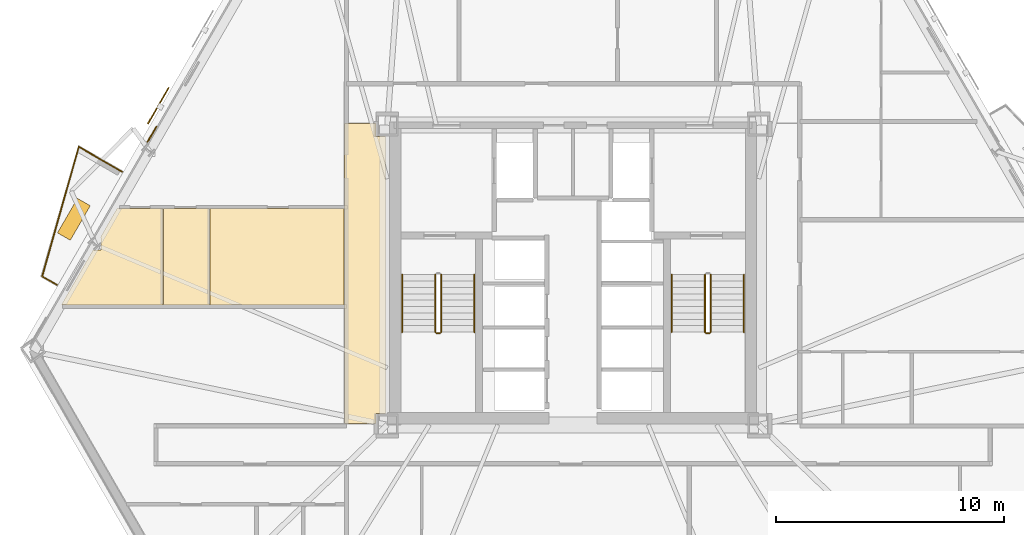
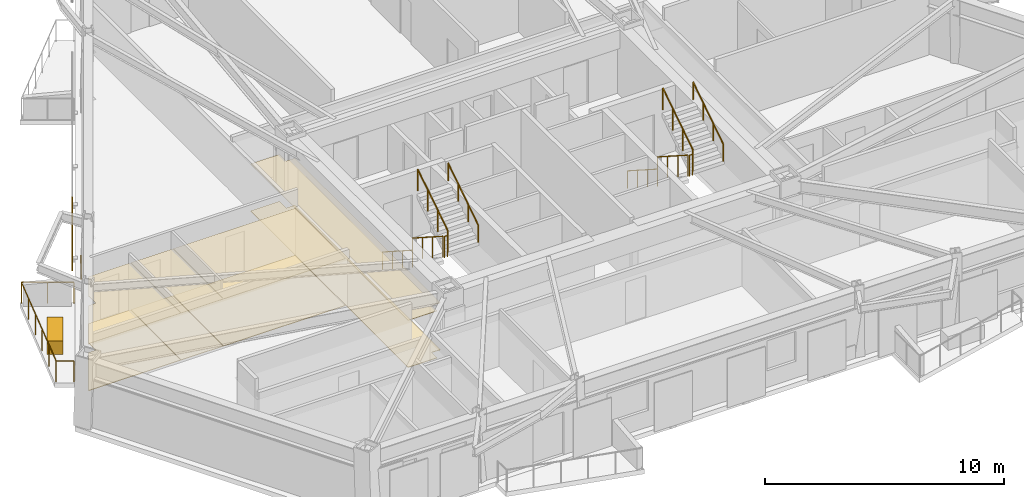
# One storey, part 8 of 10: 13 railings, 10 coverings, 1 shading device.
"""IFC4 building model written with IfcOpenShell, lengths in metres."""

from ifc_helpers import new_model, si_unit, direction, frame, origin, origin_2d, place, context, subcontext, project, spatial, polyline, rectangle, circle, outline, extrude, material, layer, layer_set, type_object, element, save


model = new_model("IFC4")

# Units and contexts
model_context = context("Model", 3, precision=1e-05, world=origin(), true_north=direction((0.0, 1.0)))
body_context = subcontext(model_context, "Body", "Model", "MODEL_VIEW")
ifc_project = project(units=[si_unit("LENGTHUNIT", "METRE"), si_unit("AREAUNIT", "SQUARE_METRE"), si_unit("VOLUMEUNIT", "CUBIC_METRE"), si_unit("PLANEANGLEUNIT", "RADIAN"), si_unit("MASSUNIT", "GRAM", prefix="KILO")], contexts=[model_context])

# Site, building, storey
site_placement = place(None, origin())
site = spatial("IfcSite", under=ifc_project, at=site_placement, CompositionType="ELEMENT")
building_placement = place(site_placement, origin())
building = spatial("IfcBuilding", under=site, at=building_placement, Name="Oramaril Tower", CompositionType="ELEMENT")
storey_placement = place(building_placement, frame((0.0, 0.0, 66.89990234375)))
storey = spatial("IfcBuildingStorey", under=building, at=storey_placement, Name="L17", CompositionType="ELEMENT", Elevation=66.89990234375)

# Coverings
ifc_material_1 = material(Name="Mineral Fibre Acoustic Ceiling")
ifc_layer_1 = layer(ifc_material_1, 0.02001953125)
ifc_layer_set_1 = layer_set([ifc_layer_1], Name="CVT-CEIL")
covering_type_1 = type_object("IfcCoveringType", Name="CVT-CEIL", PredefinedType="CEILING", material=ifc_layer_set_1)
covering_1_placement = place(storey_placement, frame((0.0, 0.0, 2.400146484375)))
element("IfcCovering", 1, at=covering_1_placement, inside=storey, type_object=covering_type_1, Name="L17 Acoustic Suspended Ceiling 3", PredefinedType="CEILING", context=body_context, shape_type="SweptSolid", body=[
    extrude(outline(polyline([(28.85498046875, 23.655029296875), (29.280029296875, 23.655029296875), (29.280029296875, 11.4951171875), (28.85498046875, 11.4951171875), (28.85498046875, 11.050048828125), (27.469970703125, 11.050048828125), (27.469970703125, 24.219970703125), (28.85498046875, 24.219970703125), (28.85498046875, 23.655029296875)])), origin(), (0.0, 0.0, 1.0), 0.02001953125),
])
covering_2_placement = place(storey_placement, frame((0.0, 0.0, 2.400146484375)))
element("IfcCovering", 2, at=covering_2_placement, inside=storey, type_object=covering_type_1, Name="L17 Acoustic Suspended Ceiling 14", PredefinedType="CEILING", context=body_context, shape_type="SweptSolid", body=[
    extrude(outline(polyline([(16.792724609375, 18.665283203125), (16.792724609375, 19.21240234375), (16.75, 19.21240234375), (17.488037109375, 20.49072265625), (17.488525390625, 20.490478515625), (17.490478515625, 20.489501953125), (17.4921875, 20.489013671875), (17.494140625, 20.48828125), (17.49609375, 20.488037109375), (17.498046875, 20.488037109375), (19.5029296875, 20.488037109375), (19.5029296875, 16.261962890625), (15.046630859375, 16.261962890625), (16.43408203125, 18.665283203125), (16.792724609375, 18.665283203125)])), origin(), (0.0, 0.0, 1.0), 0.02001953125),
])
covering_3_placement = place(storey_placement, frame((0.0, 0.0, 2.400146484375)))
element("IfcCovering", 3, at=covering_3_placement, inside=storey, type_object=covering_type_1, Name="L17 Acoustic Suspended Ceiling 15", PredefinedType="CEILING", context=body_context, shape_type="SweptSolid", body=[
    extrude(outline(polyline([(21.552978515625, 16.261962890625), (19.52294921875, 16.261962890625), (19.52294921875, 20.488037109375), (21.552978515625, 20.488037109375), (21.552978515625, 16.261962890625)])), origin(), (0.0, 0.0, 1.0), 0.02001953125),
])
covering_4_placement = place(storey_placement, frame((0.0, 0.0, 2.400146484375)))
element("IfcCovering", 4, at=covering_4_placement, inside=storey, type_object=covering_type_1, Name="L17 Acoustic Suspended Ceiling 16", PredefinedType="CEILING", context=body_context, shape_type="SweptSolid", body=[
    extrude(outline(polyline([(21.572998046875, 20.488037109375), (27.449951171875, 20.488037109375), (27.449951171875, 16.261962890625), (21.572998046875, 16.261962890625), (21.572998046875, 20.488037109375)])), origin(), (0.0, 0.0, 1.0), 0.02001953125),
])
ifc_material_2 = material(Name="Warm Cream Limestone", Category="masonry")
ifc_layer_2 = layer(ifc_material_2, 0.050048828125)
ifc_layer_set_2 = layer_set([ifc_layer_2], Name="CVT-CLD")
covering_type_2 = type_object("IfcCoveringType", Name="CVT-CLD", PredefinedType="CLADDING", material=ifc_layer_set_2)
covering_5_placement = place(storey_placement, frame((19.0224609375, 23.750244140625, 0.0400390625), z_axis=(0.0, 0.0, 1.0), x_axis=(-0.5, -0.866025403784, 0.0)))
element("IfcCovering", 5, at=covering_5_placement, inside=storey, type_object=covering_type_2, Name="L17 Warm Cream Limestone Spandrel Cladding", PredefinedType="CLADDING", context=body_context, shape_type="SweptSolid", body=[
    extrude(rectangle(XDim=0.800048828125, YDim=0.050048828125, at=origin_2d()), origin(), (0.0, 0.0, 1.0), 0.679931640625),
])
covering_6_placement = place(storey_placement, frame((15.59423828125, 20.019775390625, 0.0), z_axis=(0.0, 0.0, 1.0), x_axis=(-0.500001511499, -0.866024531118, 0.0)))
element("IfcCovering", 6, at=covering_6_placement, inside=storey, type_object=covering_type_2, Name="L17 Structural Tree Planter Box L17-BAL-NW2", PredefinedType="CLADDING", context=body_context, shape_type="SweptSolid", body=[
    extrude(rectangle(XDim=1.75, YDim=0.64990234375, at=origin_2d()), origin(), (0.0, 0.0, 1.0), 0.699951171875),
])
ifc_material_3 = material(Name="Honed Quartzite Stone Flooring", Category="masonry")
ifc_layer_3 = layer(ifc_material_3, 0.02490234375)
ifc_layer_set_3 = layer_set([ifc_layer_3], Name="CVT-FLR")
covering_type_3 = type_object("IfcCoveringType", Name="CVT-FLR", PredefinedType="FLOORING", material=ifc_layer_set_3)
covering_7_placement = place(storey_placement, origin())
element("IfcCovering", 7, at=covering_7_placement, inside=storey, type_object=covering_type_3, Name="L17 Honed Stone Floor Finish 3", PredefinedType="FLOORING", context=body_context, shape_type="SweptSolid", body=[
    extrude(outline(polyline([(28.85498046875, 23.655029296875), (29.280029296875, 23.655029296875), (29.280029296875, 11.4951171875), (28.85498046875, 11.4951171875), (28.85498046875, 11.050048828125), (27.469970703125, 11.050048828125), (27.469970703125, 24.219970703125), (28.85498046875, 24.219970703125), (28.85498046875, 23.655029296875)])), origin(), (0.0, 0.0, 1.0), 0.025146484375),
])
covering_8_placement = place(storey_placement, origin())
element("IfcCovering", 8, at=covering_8_placement, inside=storey, type_object=covering_type_3, Name="L17 Honed Stone Floor Finish 14", PredefinedType="FLOORING", context=body_context, shape_type="SweptSolid", body=[
    extrude(outline(polyline([(16.792724609375, 18.665283203125), (16.792724609375, 19.21240234375), (16.75, 19.21240234375), (17.488037109375, 20.49072265625), (17.488525390625, 20.490478515625), (17.490478515625, 20.489501953125), (17.4921875, 20.489013671875), (17.494140625, 20.48828125), (17.49609375, 20.488037109375), (17.498046875, 20.488037109375), (19.5029296875, 20.488037109375), (19.5029296875, 16.261962890625), (15.046630859375, 16.261962890625), (16.43408203125, 18.665283203125), (16.792724609375, 18.665283203125)])), origin(), (0.0, 0.0, 1.0), 0.025146484375),
])
covering_9_placement = place(storey_placement, origin())
element("IfcCovering", 9, at=covering_9_placement, inside=storey, type_object=covering_type_3, Name="L17 Honed Stone Floor Finish 15", PredefinedType="FLOORING", context=body_context, shape_type="SweptSolid", body=[
    extrude(outline(polyline([(21.552978515625, 16.261962890625), (19.52294921875, 16.261962890625), (19.52294921875, 20.488037109375), (21.552978515625, 20.488037109375), (21.552978515625, 16.261962890625)])), origin(), (0.0, 0.0, 1.0), 0.025146484375),
])
covering_10_placement = place(storey_placement, origin())
element("IfcCovering", 10, at=covering_10_placement, inside=storey, type_object=covering_type_3, Name="L17 Honed Stone Floor Finish 16", PredefinedType="FLOORING", context=body_context, shape_type="SweptSolid", body=[
    extrude(outline(polyline([(21.572998046875, 20.488037109375), (27.449951171875, 20.488037109375), (27.449951171875, 16.261962890625), (21.572998046875, 16.261962890625), (21.572998046875, 20.488037109375)])), origin(), (0.0, 0.0, 1.0), 0.025146484375),
])

# Railings
ifc_material_4 = material(Name="Stainless Steel 316L", Category="steel")
railing_type_1 = type_object("IfcRailingType", Name="RLT-GRD", PredefinedType="GUARDRAIL", material=ifc_material_4)
railing_1_placement = place(storey_placement, frame((14.8447265625, 17.144287109375, 0.0)))
element("IfcRailing", 11, at=railing_1_placement, inside=storey, type_object=railing_type_1, Name="L17 Balcony Guardrail L17-BAL-NW2.1", PredefinedType="GUARDRAIL", context=body_context, shape_type="SweptSolid", body=[
    extrude(circle(Radius=0.02392578125, at=origin_2d()), frame((0.0, 0.0, 1.076171875), z_axis=(-0.865966403178, 0.500102178127, 0.0), x_axis=(-0.500102178127, -0.865966403178, 0.0)), (0.0, 0.0, 1.0), 0.741943359375),
    extrude(circle(Radius=0.02099609375, at=origin_2d()), origin(), (0.0, 0.0, 1.0), 1.052001953125),
    extrude(circle(Radius=0.02099609375, at=origin_2d()), frame((-0.642578125, 0.37109375, 0.0)), (0.0, 0.0, 1.0), 1.052001953125),
])
railing_2_placement = place(storey_placement, frame((14.2021484375, 17.515380859375, 0.0)))
element("IfcRailing", 12, at=railing_2_placement, inside=storey, type_object=railing_type_1, Name="L17 Balcony Guardrail L17-BAL-NW2.2", PredefinedType="GUARDRAIL", context=body_context, shape_type="SweptSolid", body=[
    extrude(circle(Radius=0.02392578125, at=origin_2d()), frame((0.0, 0.0, 1.076171875), z_axis=(0.272259686627, 0.962223811303, 0.0), x_axis=(-0.962223811303, 0.272259686627, 0.0)), (0.0, 0.0, 1.0), 5.910400390625),
    extrude(circle(Radius=0.02099609375, at=origin_2d()), origin(), (0.0, 0.0, 1.0), 1.052001953125),
    extrude(circle(Radius=0.02099609375, at=origin_2d()), frame((0.32177734375, 1.137451171875, 0.0)), (0.0, 0.0, 1.0), 1.052001953125),
    extrude(circle(Radius=0.02099609375, at=origin_2d()), frame((0.6435546875, 2.27490234375, 0.0)), (0.0, 0.0, 1.0), 1.052001953125),
    extrude(circle(Radius=0.02099609375, at=origin_2d()), frame((0.965576171875, 3.412109375, 0.0)), (0.0, 0.0, 1.0), 1.052001953125),
    extrude(circle(Radius=0.02099609375, at=origin_2d()), frame((1.287353515625, 4.549560546875, 0.0)), (0.0, 0.0, 1.0), 1.052001953125),
    extrude(circle(Radius=0.02099609375, at=origin_2d()), frame((1.609130859375, 5.68701171875, 0.0)), (0.0, 0.0, 1.0), 1.052001953125),
])
railing_3_placement = place(storey_placement, frame((15.811279296875, 23.202392578125, 0.0)))
element("IfcRailing", 13, at=railing_3_placement, inside=storey, type_object=railing_type_1, Name="L17 Balcony Guardrail L17-BAL-NW2.3", PredefinedType="GUARDRAIL", context=body_context, shape_type="SweptSolid", body=[
    extrude(circle(Radius=0.02392578125, at=origin_2d()), frame((0.0, 0.0, 1.076171875), z_axis=(0.866048343933, -0.499960264392, 0.0), x_axis=(0.499960264392, 0.866048343933, 0.0)), (0.0, 0.0, 1.0), 2.192138671875),
    extrude(circle(Radius=0.02099609375, at=origin_2d()), origin(), (0.0, 0.0, 1.0), 1.052001953125),
    extrude(circle(Radius=0.02099609375, at=origin_2d()), frame((0.94921875, -0.5478515625, 0.0)), (0.0, 0.0, 1.0), 1.052001953125),
    extrude(circle(Radius=0.02099609375, at=origin_2d()), frame((1.8984375, -1.095947265625, 0.0)), (0.0, 0.0, 1.0), 1.052001953125),
])
railing_4_placement = place(storey_placement, frame((31.4599609375, 17.590087890625, 0.18017578125)))
element("IfcRailing", 14, at=railing_4_placement, inside=storey, type_object=railing_type_1, Name="L17 ST-1 stair guard 1", PredefinedType="GUARDRAIL", context=body_context, shape_type="SweptSolid", body=[
    extrude(circle(Radius=0.02392578125, at=origin_2d()), frame((0.0, 0.0, 1.076171875), z_axis=(0.0, -0.841199657755, 0.540724639528), x_axis=(1.0, 0.0, 0.0)), (0.0, 0.0, 1.0), 2.995849609375),
    extrude(circle(Radius=0.02099609375, at=origin_2d()), origin(), (0.0, 0.0, 1.0), 1.052001953125),
    extrude(circle(Radius=0.02099609375, at=origin_2d()), frame((0.0, -0.840087890625, 0.5400390625)), (0.0, 0.0, 1.0), 1.052001953125),
    extrude(circle(Radius=0.02099609375, at=origin_2d()), frame((0.0, -1.679931640625, 1.079833984375)), (0.0, 0.0, 1.0), 1.052001953125),
    extrude(circle(Radius=0.02099609375, at=origin_2d()), frame((0.0, -2.52001953125, 1.619873046875)), (0.0, 0.0, 1.0), 1.052001953125),
])
railing_5_placement = place(storey_placement, frame((31.510009765625, 15.02001953125, 1.800048828125)))
element("IfcRailing", 15, at=railing_5_placement, inside=storey, type_object=railing_type_1, Name="L17 ST-1 stair guard 2", PredefinedType="GUARDRAIL", context=body_context, shape_type="SweptSolid", body=[
    extrude(circle(Radius=0.02392578125, at=origin_2d()), frame((0.0, 0.0, 1.076171875), z_axis=(1.0, 0.0, 0.0), x_axis=(0.0, 1.0, 0.0)), (0.0, 0.0, 1.0), 0.14990234375),
    extrude(circle(Radius=0.02099609375, at=origin_2d()), origin(), (0.0, 0.0, 1.0), 1.052001953125),
    extrude(circle(Radius=0.02099609375, at=origin_2d()), frame((0.14990234375, 0.0, 0.0)), (0.0, 0.0, 1.0), 1.052001953125),
])
railing_6_placement = place(storey_placement, frame((31.7099609375, 15.070068359375, 1.97998046875)))
element("IfcRailing", 16, at=railing_6_placement, inside=storey, type_object=railing_type_1, Name="L17 ST-1 stair guard 3", PredefinedType="GUARDRAIL", context=body_context, shape_type="SweptSolid", body=[
    extrude(circle(Radius=0.02392578125, at=origin_2d()), frame((0.0, 0.0, 1.076171875), z_axis=(0.0, 0.841162588446, 0.540782303519), x_axis=(-1.0, 0.0, 0.0)), (0.0, 0.0, 1.0), 2.995849609375),
    extrude(circle(Radius=0.02099609375, at=origin_2d()), origin(), (0.0, 0.0, 1.0), 1.052001953125),
    extrude(circle(Radius=0.02099609375, at=origin_2d()), frame((0.0, 0.840087890625, 0.5400390625)), (0.0, 0.0, 1.0), 1.052001953125),
    extrude(circle(Radius=0.02099609375, at=origin_2d()), frame((0.0, 1.679931640625, 1.080078125)), (0.0, 0.0, 1.0), 1.052001953125),
    extrude(circle(Radius=0.02099609375, at=origin_2d()), frame((0.0, 2.52001953125, 1.6201171875)), (0.0, 0.0, 1.0), 1.052001953125),
])
railing_7_placement = place(storey_placement, frame((43.2900390625, 17.590087890625, 0.18017578125)))
element("IfcRailing", 17, at=railing_7_placement, inside=storey, type_object=railing_type_1, Name="L17 ST-2 stair guard 1", PredefinedType="GUARDRAIL", context=body_context, shape_type="SweptSolid", body=[
    extrude(circle(Radius=0.02392578125, at=origin_2d()), frame((0.0, 0.0, 1.076171875), z_axis=(0.0, -0.841199657755, 0.540724639528), x_axis=(1.0, 0.0, 0.0)), (0.0, 0.0, 1.0), 2.995849609375),
    extrude(circle(Radius=0.02099609375, at=origin_2d()), origin(), (0.0, 0.0, 1.0), 1.052001953125),
    extrude(circle(Radius=0.02099609375, at=origin_2d()), frame((0.0, -0.840087890625, 0.5400390625)), (0.0, 0.0, 1.0), 1.052001953125),
    extrude(circle(Radius=0.02099609375, at=origin_2d()), frame((0.0, -1.679931640625, 1.079833984375)), (0.0, 0.0, 1.0), 1.052001953125),
    extrude(circle(Radius=0.02099609375, at=origin_2d()), frame((0.0, -2.52001953125, 1.619873046875)), (0.0, 0.0, 1.0), 1.052001953125),
])
railing_8_placement = place(storey_placement, frame((43.340087890625, 15.02001953125, 1.800048828125)))
element("IfcRailing", 18, at=railing_8_placement, inside=storey, type_object=railing_type_1, Name="L17 ST-2 stair guard 2", PredefinedType="GUARDRAIL", context=body_context, shape_type="SweptSolid", body=[
    extrude(circle(Radius=0.02392578125, at=origin_2d()), frame((0.0, 0.0, 1.076171875), z_axis=(1.0, 0.0, 0.0), x_axis=(0.0, 1.0, 0.0)), (0.0, 0.0, 1.0), 0.14990234375),
    extrude(circle(Radius=0.02099609375, at=origin_2d()), origin(), (0.0, 0.0, 1.0), 1.052001953125),
    extrude(circle(Radius=0.02099609375, at=origin_2d()), frame((0.14990234375, 0.0, 0.0)), (0.0, 0.0, 1.0), 1.052001953125),
])
railing_9_placement = place(storey_placement, frame((43.5400390625, 15.070068359375, 1.97998046875)))
element("IfcRailing", 19, at=railing_9_placement, inside=storey, type_object=railing_type_1, Name="L17 ST-2 stair guard 3", PredefinedType="GUARDRAIL", context=body_context, shape_type="SweptSolid", body=[
    extrude(circle(Radius=0.02392578125, at=origin_2d()), frame((0.0, 0.0, 1.076171875), z_axis=(0.0, 0.841162588446, 0.540782303519), x_axis=(-1.0, 0.0, 0.0)), (0.0, 0.0, 1.0), 2.995849609375),
    extrude(circle(Radius=0.02099609375, at=origin_2d()), origin(), (0.0, 0.0, 1.0), 1.052001953125),
    extrude(circle(Radius=0.02099609375, at=origin_2d()), frame((0.0, 0.840087890625, 0.5400390625)), (0.0, 0.0, 1.0), 1.052001953125),
    extrude(circle(Radius=0.02099609375, at=origin_2d()), frame((0.0, 1.679931640625, 1.080078125)), (0.0, 0.0, 1.0), 1.052001953125),
    extrude(circle(Radius=0.02099609375, at=origin_2d()), frame((0.0, 2.52001953125, 1.6201171875)), (0.0, 0.0, 1.0), 1.052001953125),
])
ifc_material_5 = material(Name="Stainless Steel 316L", Category="steel")
railing_type_2 = type_object("IfcRailingType", Name="RLT-HND", PredefinedType="HANDRAIL", material=ifc_material_5)
railing_10_placement = place(storey_placement, frame((30.0, 17.590087890625, 0.18017578125)))
element("IfcRailing", 20, at=railing_10_placement, inside=storey, type_object=railing_type_2, Name="L17 ST-1 stair handrail 1", PredefinedType="HANDRAIL", context=body_context, shape_type="SweptSolid", body=[
    extrude(circle(Radius=0.02392578125, at=origin_2d()), frame((0.0, 0.0, 0.8759765625), z_axis=(0.0, -0.841199657755, 0.540724639528), x_axis=(1.0, 0.0, 0.0)), (0.0, 0.0, 1.0), 2.995849609375),
    extrude(circle(Radius=0.02099609375, at=origin_2d()), origin(), (0.0, 0.0, 1.0), 0.851806640625),
    extrude(circle(Radius=0.02099609375, at=origin_2d()), frame((0.0, -0.840087890625, 0.5400390625)), (0.0, 0.0, 1.0), 0.851806640625),
    extrude(circle(Radius=0.02099609375, at=origin_2d()), frame((0.0, -1.679931640625, 1.079833984375)), (0.0, 0.0, 1.0), 0.851806640625),
    extrude(circle(Radius=0.02099609375, at=origin_2d()), frame((0.0, -2.52001953125, 1.619873046875)), (0.0, 0.0, 1.0), 0.851806640625),
])
railing_11_placement = place(storey_placement, frame((33.169921875, 15.070068359375, 1.97998046875)))
element("IfcRailing", 21, at=railing_11_placement, inside=storey, type_object=railing_type_2, Name="L17 ST-1 stair handrail 2", PredefinedType="HANDRAIL", context=body_context, shape_type="SweptSolid", body=[
    extrude(circle(Radius=0.02392578125, at=origin_2d()), frame((0.0, 0.0, 0.8759765625), z_axis=(0.0, 0.841162588446, 0.540782303519), x_axis=(-1.0, 0.0, 0.0)), (0.0, 0.0, 1.0), 2.995849609375),
    extrude(circle(Radius=0.02099609375, at=origin_2d()), origin(), (0.0, 0.0, 1.0), 0.851806640625),
    extrude(circle(Radius=0.02099609375, at=origin_2d()), frame((0.0, 0.840087890625, 0.5400390625)), (0.0, 0.0, 1.0), 0.851806640625),
    extrude(circle(Radius=0.02099609375, at=origin_2d()), frame((0.0, 1.679931640625, 1.080078125)), (0.0, 0.0, 1.0), 0.851806640625),
    extrude(circle(Radius=0.02099609375, at=origin_2d()), frame((0.0, 2.52001953125, 1.6201171875)), (0.0, 0.0, 1.0), 0.851806640625),
])
railing_12_placement = place(storey_placement, frame((41.830078125, 17.590087890625, 0.18017578125)))
element("IfcRailing", 22, at=railing_12_placement, inside=storey, type_object=railing_type_2, Name="L17 ST-2 stair handrail 1", PredefinedType="HANDRAIL", context=body_context, shape_type="SweptSolid", body=[
    extrude(circle(Radius=0.02392578125, at=origin_2d()), frame((0.0, 0.0, 0.8759765625), z_axis=(0.0, -0.841199657755, 0.540724639528), x_axis=(1.0, 0.0, 0.0)), (0.0, 0.0, 1.0), 2.995849609375),
    extrude(circle(Radius=0.02099609375, at=origin_2d()), origin(), (0.0, 0.0, 1.0), 0.851806640625),
    extrude(circle(Radius=0.02099609375, at=origin_2d()), frame((0.0, -0.840087890625, 0.5400390625)), (0.0, 0.0, 1.0), 0.851806640625),
    extrude(circle(Radius=0.02099609375, at=origin_2d()), frame((0.0, -1.679931640625, 1.079833984375)), (0.0, 0.0, 1.0), 0.851806640625),
    extrude(circle(Radius=0.02099609375, at=origin_2d()), frame((0.0, -2.52001953125, 1.619873046875)), (0.0, 0.0, 1.0), 0.851806640625),
])
railing_13_placement = place(storey_placement, frame((45.0, 15.070068359375, 1.97998046875)))
element("IfcRailing", 23, at=railing_13_placement, inside=storey, type_object=railing_type_2, Name="L17 ST-2 stair handrail 2", PredefinedType="HANDRAIL", context=body_context, shape_type="SweptSolid", body=[
    extrude(circle(Radius=0.02392578125, at=origin_2d()), frame((0.0, 0.0, 0.8759765625), z_axis=(0.0, 0.841162588446, 0.540782303519), x_axis=(-1.0, 0.0, 0.0)), (0.0, 0.0, 1.0), 2.995849609375),
    extrude(circle(Radius=0.02099609375, at=origin_2d()), origin(), (0.0, 0.0, 1.0), 0.851806640625),
    extrude(circle(Radius=0.02099609375, at=origin_2d()), frame((0.0, 0.840087890625, 0.5400390625)), (0.0, 0.0, 1.0), 0.851806640625),
    extrude(circle(Radius=0.02099609375, at=origin_2d()), frame((0.0, 1.679931640625, 1.080078125)), (0.0, 0.0, 1.0), 0.851806640625),
    extrude(circle(Radius=0.02099609375, at=origin_2d()), frame((0.0, 2.52001953125, 1.6201171875)), (0.0, 0.0, 1.0), 0.851806640625),
])

# Shading device
shading_device_placement = place(storey_placement, frame((19.301513671875, 25.00732421875, -0.02001953125), z_axis=(0.0, 0.0, 1.0), x_axis=(-0.5, -0.866025403784, 0.0)))
element("IfcShadingDevice", 24, at=shading_device_placement, inside=storey, Name="L17 Perforated Ceramic Solar Screen", ObjectType="SCREEN", PredefinedType="USERDEFINED", context=body_context, shape_type="SweptSolid", body=[
    extrude(rectangle(XDim=1.8330078125, YDim=0.050048828125, at=origin_2d()), origin(), (0.0, 0.0, 1.0), 2.493896484375),
])

save(model, "model.ifc")
